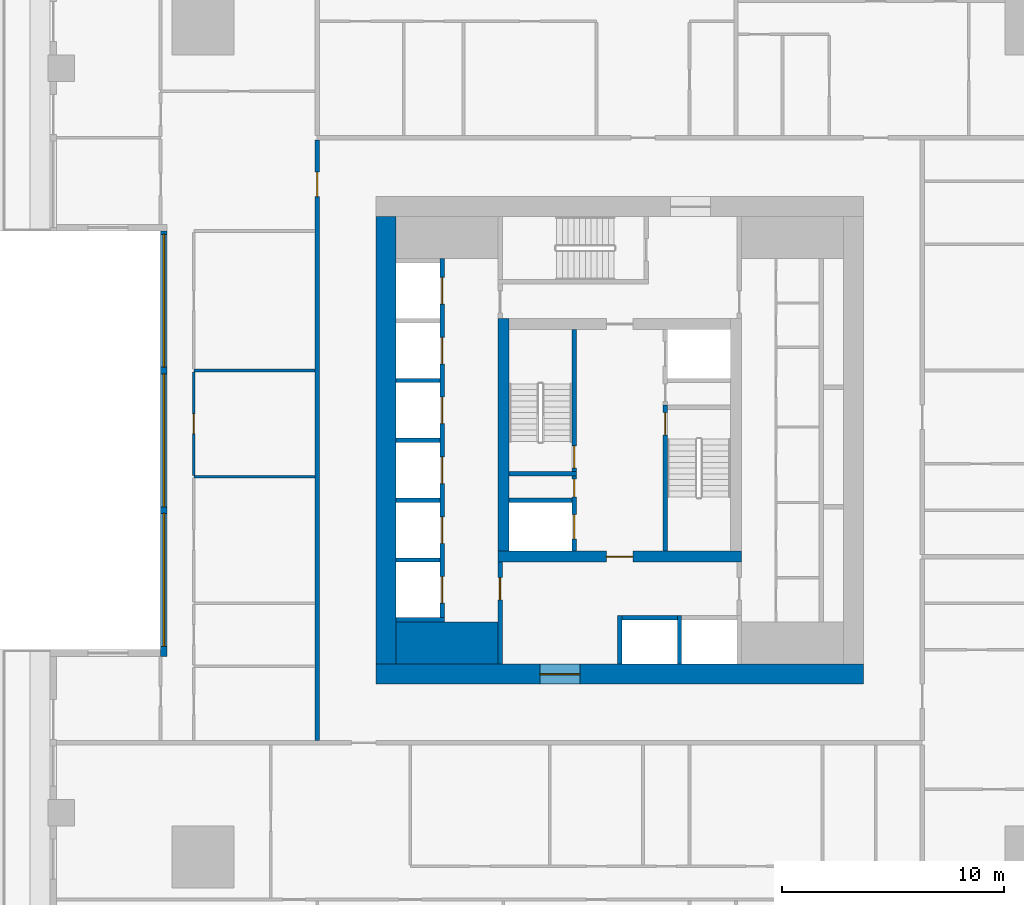
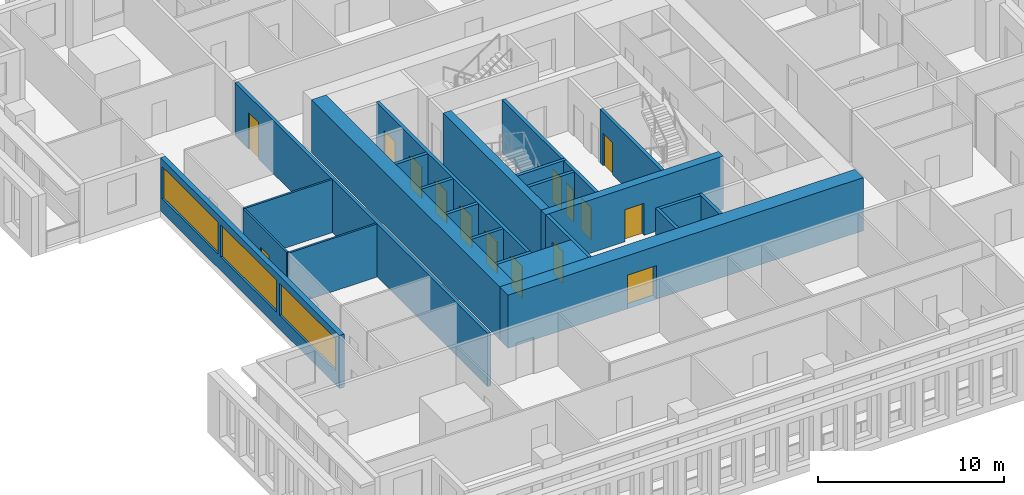
# One storey, part 3 of 14: 25 walls, 15 doors, 3 windows, 18 openings.
"""IFC4 building model written with IfcOpenShell, lengths in metres."""

from ifc_helpers import new_model, si_unit, direction, frame, frame_2d, origin, place, context, subcontext, project, spatial, rectangle, extrude, material, layer, layer_set, type_object, element, fill, save


model = new_model("IFC4")

# Units and contexts
model_context = context("Model", 3, precision=1e-05, world=origin(), true_north=direction((0.0, 1.0)))
body_context = subcontext(model_context, "Body", "Model", "MODEL_VIEW")
ifc_project = project(units=[si_unit("LENGTHUNIT", "METRE"), si_unit("AREAUNIT", "SQUARE_METRE"), si_unit("VOLUMEUNIT", "CUBIC_METRE"), si_unit("PLANEANGLEUNIT", "RADIAN"), si_unit("MASSUNIT", "GRAM", prefix="KILO")], contexts=[model_context])

# Site, building, storey
site_placement = place(None, origin())
site = spatial("IfcSite", under=ifc_project, at=site_placement, CompositionType="ELEMENT")
building_placement = place(site_placement, origin())
building = spatial("IfcBuilding", under=site, at=building_placement, Name="Khepri Terraces", CompositionType="ELEMENT")
storey_placement = place(building_placement, frame((0.0, 0.0, 106.5)))
storey = spatial("IfcBuildingStorey", under=building, at=storey_placement, Name="L25", CompositionType="ELEMENT", Elevation=106.5)

# Wall
ifc_material_1 = material(Name="Concrete C70/85", Category="concrete")
ifc_layer_1 = layer(ifc_material_1, 1.89990234375, Name="Concrete C70/85", Category="concrete")
ifc_layer_set_1 = layer_set([ifc_layer_1], Name="Concrete C70/85")
wall_type_1 = type_object("IfcWallType", Name="Core wall 1900 C70/85", PredefinedType="SHEAR", material=ifc_layer_set_1)
wall_1_placement = place(storey_placement, frame((-10.10009765625, -9.14990234375, 0.0), z_axis=(0.0, 0.0, 1.0), x_axis=(1.0, 0.0, 0.0)))
element("IfcWall", 1, at=wall_1_placement, inside=storey, type_object=wall_type_1, Name="Core wall PR01 L25", PredefinedType="SHEAR", context=body_context, shape_type="SweptSolid", body=[
    extrude(rectangle(XDim=4.60009765625, YDim=1.89990234375, at=frame_2d((2.300048828125, 0.0))), origin(), (0.0, 0.0, 1.0), 3.47998046875),
])

# Wall, opening, door
ifc_layer_2 = layer(ifc_material_1, 0.199951171875, Name="Concrete C70/85", Category="concrete")
ifc_layer_set_2 = layer_set([ifc_layer_2], Name="Concrete C70/85")
wall_type_2 = type_object("IfcWallType", Name="Core wall 200 C70/85", PredefinedType="SHEAR", material=ifc_layer_set_2)
wall_2_placement = place(storey_placement, frame((2.050048828125, -5.0, 0.0), z_axis=(0.0, 0.0, 1.0), x_axis=(0.0, 1.0, 0.0)))
wall_2 = element("IfcWall", 2, at=wall_2_placement, inside=storey, type_object=wall_type_2, Name="Core wall ST01 L25", PredefinedType="SHEAR", context=body_context, shape_type="SweptSolid", body=[
    extrude(rectangle(XDim=6.60009765625, YDim=0.199951171875, at=frame_2d((3.300048828125, 0.0))), origin(), (0.0, 0.0, 1.0), 3.47998046875),
])
opening_1_placement = place(wall_2_placement, frame((5.25, 0.0, 0.0)))
opening_1 = element("IfcOpeningElement", 3, at=opening_1_placement, cuts=wall_2, Name="Opening L25-C10", PredefinedType="OPENING", context=body_context, shape_type="SweptSolid", body=[
    extrude(rectangle(XDim=1.0, YDim=2.10009765625, at=frame_2d((0.5, 1.050048828125))), frame((0.0, 0.10986328125, 0.0), z_axis=(0.0, -1.0, 0.0), x_axis=(1.0, 0.0, 0.0)), (0.0, 0.0, 1.0), 0.219970703125),
])
ifc_material_2 = material(Name="Painted steel", Category="steel")
door_type_1 = type_object("IfcDoorType", Name="DR-CORE-STAIR-1000", OperationType="NOTDEFINED", PredefinedType="DOOR", material=ifc_material_2)
door_1_placement = place(opening_1_placement, frame((1.0, 0.0, 0.0), z_axis=(0.0, 0.0, 1.0), x_axis=(-1.0, 0.0, 0.0)))
door_1 = element("IfcDoor", 4, at=door_1_placement, inside=storey, type_object=door_type_1, Name="Stair door L25-C10", OperationType="SINGLE_SWING_LEFT", OverallHeight=2.10009765625, OverallWidth=1.0, PredefinedType="DOOR", context=body_context, shape_type="SweptSolid", body=[
    extrude(rectangle(XDim=1.0, YDim=2.10009765625, at=frame_2d((0.5, 1.050048828125))), frame((0.0, 0.02490234375, 0.0), z_axis=(0.0, -1.0, 0.0), x_axis=(1.0, 0.0, 0.0)), (0.0, 0.0, 1.0), 0.050048828125),
])
fill(opening_1, door_1)

# Wall
wall_3_placement = place(storey_placement, frame((-5.0, -1.5, 0.0), z_axis=(0.0, 0.0, 1.0), x_axis=(1.0, 0.0, 0.0)))
element("IfcWall", 5, at=wall_3_placement, inside=storey, type_object=wall_type_2, Name="Core wall ST02 L25", PredefinedType="SHEAR", context=body_context, shape_type="SweptSolid", body=[
    extrude(rectangle(XDim=3.050048828125, YDim=0.199951171875, at=frame_2d((1.52490234375, 0.0))), origin(), (0.0, 0.0, 1.0), 3.47998046875),
])

# Wall, opening, door
wall_4_placement = place(storey_placement, frame((-2.050048828125, -1.39990234375, 0.0), z_axis=(0.0, 0.0, 1.0), x_axis=(0.0, 1.0, 0.0)))
wall_4 = element("IfcWall", 6, at=wall_4_placement, inside=storey, type_object=wall_type_2, Name="Core wall ST03 L25", PredefinedType="SHEAR", context=body_context, shape_type="SweptSolid", body=[
    extrude(rectangle(XDim=6.39990234375, YDim=0.199951171875, at=frame_2d((3.199951171875, 0.0))), origin(), (0.0, 0.0, 1.0), 3.47998046875),
])
opening_2_placement = place(wall_4_placement, frame((0.14990234375, 0.0, 0.0)))
opening_2 = element("IfcOpeningElement", 7, at=opening_2_placement, cuts=wall_4, Name="Opening L25-C09", PredefinedType="OPENING", context=body_context, shape_type="SweptSolid", body=[
    extrude(rectangle(XDim=1.0, YDim=2.10009765625, at=frame_2d((0.5, 1.050048828125))), frame((0.0, 0.10986328125, 0.0), z_axis=(0.0, -1.0, 0.0), x_axis=(1.0, 0.0, 0.0)), (0.0, 0.0, 1.0), 0.219970703125),
])
door_2_placement = place(opening_2_placement, origin())
door_2 = element("IfcDoor", 8, at=door_2_placement, inside=storey, type_object=door_type_1, Name="Stair door L25-C09", OperationType="SINGLE_SWING_LEFT", OverallHeight=2.10009765625, OverallWidth=1.0, PredefinedType="DOOR", context=body_context, shape_type="SweptSolid", body=[
    extrude(rectangle(XDim=1.0, YDim=2.10009765625, at=frame_2d((0.5, 1.050048828125))), frame((0.0, 0.02490234375, 0.0), z_axis=(0.0, -1.0, 0.0), x_axis=(1.0, 0.0, 0.0)), (0.0, 0.0, 1.0), 0.050048828125),
])
fill(opening_2, door_2)

# Walls
for number, where, z_axis, x_axis, name in (
    (9, (0.0, -10.10009765625, 0.0), (0.0, 0.0, 1.0), (0.0, 1.0, 0.0), "Core wall SH01 L25"),
    (10, (2.699951171875, -10.10009765625, 0.0), (0.0, 0.0, 1.0), (0.0, 1.0, 0.0), "Core wall SH02 L25"),
    (11, (-10.10009765625, -8.10009765625, 0.0), (0.0, 0.0, 1.0), (1.0, 0.0, 0.0), "Core wall SH04 L25"),
):
    element("IfcWall", number, at=place(storey_placement, frame(where, z_axis=z_axis, x_axis=x_axis)), inside=storey, type_object=wall_type_2, Name=name, PredefinedType="SHEAR", context=body_context, shape_type="SweptSolid", body=[
        extrude(rectangle(XDim=2.2001953125, YDim=0.199951171875, at=frame_2d((1.10009765625, 0.0))), origin(), (0.0, 0.0, 1.0), 3.47998046875),
    ])
wall_5_placement = place(storey_placement, frame((0.10009765625, -8.0, 0.0), z_axis=(0.0, 0.0, 1.0), x_axis=(1.0, 0.0, 0.0)))
element("IfcWall", 12, at=wall_5_placement, inside=storey, type_object=wall_type_2, Name="Core wall SH06 L25", PredefinedType="SHEAR", context=body_context, shape_type="SweptSolid", body=[
    extrude(rectangle(XDim=2.5, YDim=0.199951171875, at=frame_2d((1.25, 0.0))), origin(), (0.0, 0.0, 1.0), 3.47998046875),
])

# Wall, openings, doors
wall_6_placement = place(storey_placement, frame((-8.0, -8.0, 0.0), z_axis=(0.0, 0.0, 1.0), x_axis=(0.0, 1.0, 0.0)))
wall_6 = element("IfcWall", 13, at=wall_6_placement, inside=storey, type_object=wall_type_2, Name="Core wall SH08 L25", PredefinedType="SHEAR", context=body_context, shape_type="SweptSolid", body=[
    extrude(rectangle(XDim=16.199951171875, YDim=0.199951171875, at=frame_2d((8.10009765625, 0.0))), origin(), (0.0, 0.0, 1.0), 3.47998046875),
])
opening_3_placement = place(wall_6_placement, frame((0.64990234375, 0.0, 0.0)))
opening_3 = element("IfcOpeningElement", 14, at=opening_3_placement, cuts=wall_6, Name="Opening L25-C01", PredefinedType="OPENING", context=body_context, shape_type="SweptSolid", body=[
    extrude(rectangle(XDim=1.199951171875, YDim=2.10009765625, at=frame_2d((0.60009765625, 1.050048828125))), frame((0.0, 0.10986328125, 0.0), z_axis=(0.0, -1.0, 0.0), x_axis=(1.0, 0.0, 0.0)), (0.0, 0.0, 1.0), 0.219970703125),
])
opening_4_placement = place(wall_6_placement, frame((3.35009765625, 0.0, 0.0)))
opening_4 = element("IfcOpeningElement", 15, at=opening_4_placement, cuts=wall_6, Name="Opening L25-C02", PredefinedType="OPENING", context=body_context, shape_type="SweptSolid", body=[
    extrude(rectangle(XDim=1.199951171875, YDim=2.10009765625, at=frame_2d((0.60009765625, 1.050048828125))), frame((0.0, 0.10986328125, 0.0), z_axis=(0.0, -1.0, 0.0), x_axis=(1.0, 0.0, 0.0)), (0.0, 0.0, 1.0), 0.219970703125),
])
opening_5_placement = place(wall_6_placement, frame((6.050048828125, 0.0, 0.0)))
opening_5 = element("IfcOpeningElement", 16, at=opening_5_placement, cuts=wall_6, Name="Opening L25-C03", PredefinedType="OPENING", context=body_context, shape_type="SweptSolid", body=[
    extrude(rectangle(XDim=1.199951171875, YDim=2.10009765625, at=frame_2d((0.60009765625, 1.050048828125))), frame((0.0, 0.10986328125, 0.0), z_axis=(0.0, -1.0, 0.0), x_axis=(1.0, 0.0, 0.0)), (0.0, 0.0, 1.0), 0.219970703125),
])
opening_6_placement = place(wall_6_placement, frame((8.75, 0.0, 0.0)))
opening_6 = element("IfcOpeningElement", 17, at=opening_6_placement, cuts=wall_6, Name="Opening L25-C04", PredefinedType="OPENING", context=body_context, shape_type="SweptSolid", body=[
    extrude(rectangle(XDim=1.199951171875, YDim=2.10009765625, at=frame_2d((0.60009765625, 1.050048828125))), frame((0.0, 0.10986328125, 0.0), z_axis=(0.0, -1.0, 0.0), x_axis=(1.0, 0.0, 0.0)), (0.0, 0.0, 1.0), 0.219970703125),
])
opening_7_placement = place(wall_6_placement, frame((11.449951171875, 0.0, 0.0)))
opening_7 = element("IfcOpeningElement", 18, at=opening_7_placement, cuts=wall_6, Name="Opening L25-C05", PredefinedType="OPENING", context=body_context, shape_type="SweptSolid", body=[
    extrude(rectangle(XDim=1.199951171875, YDim=2.10009765625, at=frame_2d((0.60009765625, 1.050048828125))), frame((0.0, 0.10986328125, 0.0), z_axis=(0.0, -1.0, 0.0), x_axis=(1.0, 0.0, 0.0)), (0.0, 0.0, 1.0), 0.219970703125),
])
opening_8_placement = place(wall_6_placement, frame((14.14990234375, 0.0, 0.0)))
opening_8 = element("IfcOpeningElement", 19, at=opening_8_placement, cuts=wall_6, Name="Opening L25-C06", PredefinedType="OPENING", context=body_context, shape_type="SweptSolid", body=[
    extrude(rectangle(XDim=1.199951171875, YDim=2.10009765625, at=frame_2d((0.60009765625, 1.050048828125))), frame((0.0, 0.10986328125, 0.0), z_axis=(0.0, -1.0, 0.0), x_axis=(1.0, 0.0, 0.0)), (0.0, 0.0, 1.0), 0.219970703125),
])
ifc_material_3 = material(Name="Stainless steel 304", Category="steel")
door_type_2 = type_object("IfcDoorType", Name="DR-CORE-LANDING-1200", OperationType="NOTDEFINED", PredefinedType="DOOR", material=ifc_material_3)
door_3_placement = place(opening_3_placement, origin())
door_3 = element("IfcDoor", 20, at=door_3_placement, inside=storey, type_object=door_type_2, Name="Lift landing door L25-C01", OperationType="SLIDING_TO_LEFT", OverallHeight=2.10009765625, OverallWidth=1.199951171875, PredefinedType="DOOR", context=body_context, shape_type="SweptSolid", body=[
    extrude(rectangle(XDim=1.199951171875, YDim=2.10009765625, at=frame_2d((0.60009765625, 1.050048828125))), frame((0.0, 0.02490234375, 0.0), z_axis=(0.0, -1.0, 0.0), x_axis=(1.0, 0.0, 0.0)), (0.0, 0.0, 1.0), 0.050048828125),
])
fill(opening_3, door_3)
door_4_placement = place(opening_4_placement, origin())
door_4 = element("IfcDoor", 21, at=door_4_placement, inside=storey, type_object=door_type_2, Name="Lift landing door L25-C02", OperationType="SLIDING_TO_LEFT", OverallHeight=2.10009765625, OverallWidth=1.199951171875, PredefinedType="DOOR", context=body_context, shape_type="SweptSolid", body=[
    extrude(rectangle(XDim=1.199951171875, YDim=2.10009765625, at=frame_2d((0.60009765625, 1.050048828125))), frame((0.0, 0.02490234375, 0.0), z_axis=(0.0, -1.0, 0.0), x_axis=(1.0, 0.0, 0.0)), (0.0, 0.0, 1.0), 0.050048828125),
])
fill(opening_4, door_4)
door_5_placement = place(opening_5_placement, origin())
door_5 = element("IfcDoor", 22, at=door_5_placement, inside=storey, type_object=door_type_2, Name="Lift landing door L25-C03", OperationType="SLIDING_TO_LEFT", OverallHeight=2.10009765625, OverallWidth=1.199951171875, PredefinedType="DOOR", context=body_context, shape_type="SweptSolid", body=[
    extrude(rectangle(XDim=1.199951171875, YDim=2.10009765625, at=frame_2d((0.60009765625, 1.050048828125))), frame((0.0, 0.02490234375, 0.0), z_axis=(0.0, -1.0, 0.0), x_axis=(1.0, 0.0, 0.0)), (0.0, 0.0, 1.0), 0.050048828125),
])
fill(opening_5, door_5)
door_6_placement = place(opening_6_placement, origin())
door_6 = element("IfcDoor", 23, at=door_6_placement, inside=storey, type_object=door_type_2, Name="Lift landing door L25-C04", OperationType="SLIDING_TO_LEFT", OverallHeight=2.10009765625, OverallWidth=1.199951171875, PredefinedType="DOOR", context=body_context, shape_type="SweptSolid", body=[
    extrude(rectangle(XDim=1.199951171875, YDim=2.10009765625, at=frame_2d((0.60009765625, 1.050048828125))), frame((0.0, 0.02490234375, 0.0), z_axis=(0.0, -1.0, 0.0), x_axis=(1.0, 0.0, 0.0)), (0.0, 0.0, 1.0), 0.050048828125),
])
fill(opening_6, door_6)
door_7_placement = place(opening_7_placement, origin())
door_7 = element("IfcDoor", 24, at=door_7_placement, inside=storey, type_object=door_type_2, Name="Lift landing door L25-C05", OperationType="SLIDING_TO_LEFT", OverallHeight=2.10009765625, OverallWidth=1.199951171875, PredefinedType="DOOR", context=body_context, shape_type="SweptSolid", body=[
    extrude(rectangle(XDim=1.199951171875, YDim=2.10009765625, at=frame_2d((0.60009765625, 1.050048828125))), frame((0.0, 0.02490234375, 0.0), z_axis=(0.0, -1.0, 0.0), x_axis=(1.0, 0.0, 0.0)), (0.0, 0.0, 1.0), 0.050048828125),
])
fill(opening_7, door_7)
door_8_placement = place(opening_8_placement, origin())
door_8 = element("IfcDoor", 25, at=door_8_placement, inside=storey, type_object=door_type_2, Name="Lift landing door L25-C06", OperationType="SLIDING_TO_LEFT", OverallHeight=2.10009765625, OverallWidth=1.199951171875, PredefinedType="DOOR", context=body_context, shape_type="SweptSolid", body=[
    extrude(rectangle(XDim=1.199951171875, YDim=2.10009765625, at=frame_2d((0.60009765625, 1.050048828125))), frame((0.0, 0.02490234375, 0.0), z_axis=(0.0, -1.0, 0.0), x_axis=(1.0, 0.0, 0.0)), (0.0, 0.0, 1.0), 0.050048828125),
])
fill(opening_8, door_8)

# Wall
wall_7_placement = place(storey_placement, frame((-10.10009765625, -5.39990234375, 0.0), z_axis=(0.0, 0.0, 1.0), x_axis=(1.0, 0.0, 0.0)))
element("IfcWall", 26, at=wall_7_placement, inside=storey, type_object=wall_type_2, Name="Core wall SH09 L25", PredefinedType="SHEAR", context=body_context, shape_type="SweptSolid", body=[
    extrude(rectangle(XDim=2.0, YDim=0.199951171875, at=frame_2d((1.0, 0.0))), origin(), (0.0, 0.0, 1.0), 3.47998046875),
])

# Wall, openings, doors
wall_8_placement = place(storey_placement, frame((-2.050048828125, -5.0, 0.0), z_axis=(0.0, 0.0, 1.0), x_axis=(0.0, 1.0, 0.0)))
wall_8 = element("IfcWall", 27, at=wall_8_placement, inside=storey, type_object=wall_type_2, Name="Core wall SH10 L25", PredefinedType="SHEAR", context=body_context, shape_type="SweptSolid", body=[
    extrude(rectangle(XDim=3.39990234375, YDim=0.199951171875, at=frame_2d((1.699951171875, 0.0))), origin(), (0.0, 0.0, 1.0), 3.47998046875),
])
opening_9_placement = place(wall_8_placement, frame((0.550048828125, 0.0, 0.0)))
opening_9 = element("IfcOpeningElement", 28, at=opening_9_placement, cuts=wall_8, Name="Opening L25-C08", PredefinedType="OPENING", context=body_context, shape_type="SweptSolid", body=[
    extrude(rectangle(XDim=1.10009765625, YDim=2.10009765625, at=frame_2d((0.550048828125, 1.050048828125))), frame((0.0, 0.10986328125, 0.0), z_axis=(0.0, -1.0, 0.0), x_axis=(1.0, 0.0, 0.0)), (0.0, 0.0, 1.0), 0.219970703125),
])
opening_10_placement = place(wall_8_placement, frame((2.449951171875, 0.0, 0.0)))
opening_10 = element("IfcOpeningElement", 29, at=opening_10_placement, cuts=wall_8, Name="Opening L25-C12", PredefinedType="OPENING", context=body_context, shape_type="SweptSolid", body=[
    extrude(rectangle(XDim=0.800048828125, YDim=2.10009765625, at=frame_2d((0.39990234375, 1.050048828125))), frame((0.0, 0.10986328125, 0.0), z_axis=(0.0, -1.0, 0.0), x_axis=(1.0, 0.0, 0.0)), (0.0, 0.0, 1.0), 0.219970703125),
])
door_type_3 = type_object("IfcDoorType", Name="DR-CORE-FF-LANDING-1100", OperationType="NOTDEFINED", PredefinedType="DOOR", material=ifc_material_3)
door_9_placement = place(opening_9_placement, origin())
door_9 = element("IfcDoor", 30, at=door_9_placement, inside=storey, type_object=door_type_3, Name="Firefighting lift landing door L25-C08", OperationType="SLIDING_TO_LEFT", OverallHeight=2.10009765625, OverallWidth=1.10009765625, PredefinedType="DOOR", context=body_context, shape_type="SweptSolid", body=[
    extrude(rectangle(XDim=1.10009765625, YDim=2.10009765625, at=frame_2d((0.550048828125, 1.050048828125))), frame((0.0, 0.02490234375, 0.0), z_axis=(0.0, -1.0, 0.0), x_axis=(1.0, 0.0, 0.0)), (0.0, 0.0, 1.0), 0.050048828125),
])
fill(opening_9, door_9)
door_type_4 = type_object("IfcDoorType", Name="DR-CORE-RISER-800", OperationType="NOTDEFINED", PredefinedType="DOOR", material=ifc_material_2)
door_10_placement = place(opening_10_placement, origin())
door_10 = element("IfcDoor", 31, at=door_10_placement, inside=storey, type_object=door_type_4, Name="Riser door L25-C12", OperationType="SINGLE_SWING_RIGHT", OverallHeight=2.10009765625, OverallWidth=0.800048828125, PredefinedType="DOOR", context=body_context, shape_type="SweptSolid", body=[
    extrude(rectangle(XDim=0.800048828125, YDim=2.10009765625, at=frame_2d((0.39990234375, 1.050048828125))), frame((0.0, 0.02490234375, 0.0), z_axis=(0.0, -1.0, 0.0), x_axis=(1.0, 0.0, 0.0)), (0.0, 0.0, 1.0), 0.050048828125),
])
fill(opening_10, door_10)

# Walls
wall_9_placement = place(storey_placement, frame((-10.10009765625, -2.699951171875, 0.0), z_axis=(0.0, 0.0, 1.0), x_axis=(1.0, 0.0, 0.0)))
element("IfcWall", 32, at=wall_9_placement, inside=storey, type_object=wall_type_2, Name="Core wall SH12 L25", PredefinedType="SHEAR", context=body_context, shape_type="SweptSolid", body=[
    extrude(rectangle(XDim=2.0, YDim=0.199951171875, at=frame_2d((1.0, 0.0))), origin(), (0.0, 0.0, 1.0), 3.47998046875),
])
wall_10_placement = place(storey_placement, frame((-5.0, -2.699951171875, 0.0), z_axis=(0.0, 0.0, 1.0), x_axis=(1.0, 0.0, 0.0)))
element("IfcWall", 33, at=wall_10_placement, inside=storey, type_object=wall_type_2, Name="Core wall SH13 L25", PredefinedType="SHEAR", context=body_context, shape_type="SweptSolid", body=[
    extrude(rectangle(XDim=2.85009765625, YDim=0.199951171875, at=frame_2d((1.425048828125, 0.0))), origin(), (0.0, 0.0, 1.0), 3.47998046875),
])
for number, where, z_axis, x_axis, name in (
    (34, (-10.10009765625, 0.0, 0.0), (0.0, 0.0, 1.0), (1.0, 0.0, 0.0), "Core wall SH14 L25"),
    (35, (-10.10009765625, 2.699951171875, 0.0), (0.0, 0.0, 1.0), (1.0, 0.0, 0.0), "Core wall SH17 L25"),
):
    element("IfcWall", number, at=place(storey_placement, frame(where, z_axis=z_axis, x_axis=x_axis)), inside=storey, type_object=wall_type_2, Name=name, PredefinedType="SHEAR", context=body_context, shape_type="SweptSolid", body=[
        extrude(rectangle(XDim=2.0, YDim=0.199951171875, at=frame_2d((1.0, 0.0))), origin(), (0.0, 0.0, 1.0), 3.47998046875),
    ])

# Wall, opening, door
ifc_layer_3 = layer(ifc_material_1, 0.5, Name="Concrete C70/85", Category="concrete")
ifc_layer_set_3 = layer_set([ifc_layer_3], Name="Concrete C70/85")
wall_type_3 = type_object("IfcWallType", Name="Core wall 500 C70/85", PredefinedType="SHEAR", material=ifc_layer_set_3)
wall_11_placement = place(storey_placement, frame((-5.5, -5.25, 0.0), z_axis=(0.0, 0.0, 1.0), x_axis=(1.0, 0.0, 0.0)))
wall_11 = element("IfcWall", 36, at=wall_11_placement, inside=storey, type_object=wall_type_3, Name="Core wall BX01 L25", PredefinedType="SHEAR", context=body_context, shape_type="SweptSolid", body=[
    extrude(rectangle(XDim=11.0, YDim=0.5, at=frame_2d((5.5, 0.0))), origin(), (0.0, 0.0, 1.0), 3.47998046875),
])
opening_11_placement = place(wall_11_placement, frame((4.89990234375, 0.0, 0.0)))
opening_11 = element("IfcOpeningElement", 37, at=opening_11_placement, cuts=wall_11, Name="Opening L25-C14", PredefinedType="OPENING", context=body_context, shape_type="SweptSolid", body=[
    extrude(rectangle(XDim=1.199951171875, YDim=2.10009765625, at=frame_2d((0.60009765625, 1.050048828125))), frame((0.0, 0.260009765625, 0.0), z_axis=(0.0, -1.0, 0.0), x_axis=(1.0, 0.0, 0.0)), (0.0, 0.0, 1.0), 0.52001953125),
])
door_type_5 = type_object("IfcDoorType", Name="DR-CORE-FF-LOBBY-1200", OperationType="NOTDEFINED", PredefinedType="DOOR", material=ifc_material_2)
door_11_placement = place(opening_11_placement, origin())
door_11 = element("IfcDoor", 38, at=door_11_placement, inside=storey, type_object=door_type_5, Name="Firefighting lobby door L25-C14", OperationType="SINGLE_SWING_RIGHT", OverallHeight=2.10009765625, OverallWidth=1.199951171875, PredefinedType="DOOR", context=body_context, shape_type="SweptSolid", body=[
    extrude(rectangle(XDim=1.199951171875, YDim=2.10009765625, at=frame_2d((0.60009765625, 1.050048828125))), frame((0.0, 0.02490234375, 0.0), z_axis=(0.0, -1.0, 0.0), x_axis=(1.0, 0.0, 0.0)), (0.0, 0.0, 1.0), 0.050048828125),
])
fill(opening_11, door_11)

# Wall
wall_12_placement = place(storey_placement, frame((-5.25, -5.0, 0.0), z_axis=(0.0, 0.0, 1.0), x_axis=(0.0, 1.0, 0.0)))
element("IfcWall", 39, at=wall_12_placement, inside=storey, type_object=wall_type_3, Name="Core wall BX02 L25", PredefinedType="SHEAR", context=body_context, shape_type="SweptSolid", body=[
    extrude(rectangle(XDim=10.5, YDim=0.5, at=frame_2d((5.25, 0.0))), origin(), (0.0, 0.0, 1.0), 3.47998046875),
])

# Wall, opening, door
ifc_layer_4 = layer(ifc_material_1, 0.89990234375, Name="Concrete C70/85", Category="concrete")
ifc_layer_set_4 = layer_set([ifc_layer_4], Name="Concrete C70/85")
wall_type_4 = type_object("IfcWallType", Name="Core wall 900 C70/85", PredefinedType="SHEAR", material=ifc_layer_set_4)
wall_13_placement = place(storey_placement, frame((-11.0, -10.550048828125, 0.0), z_axis=(0.0, 0.0, 1.0), x_axis=(1.0, 0.0, 0.0)))
wall_13 = element("IfcWall", 40, at=wall_13_placement, inside=storey, type_object=wall_type_4, Name="Core wall OW-S L25", PredefinedType="SHEAR", context=body_context, shape_type="SweptSolid", body=[
    extrude(rectangle(XDim=22.0, YDim=0.89990234375, at=frame_2d((11.0, 0.0))), origin(), (0.0, 0.0, 1.0), 3.47998046875),
])
opening_12_placement = place(wall_13_placement, frame((7.39990234375, 0.0, 0.0)))
opening_12 = element("IfcOpeningElement", 41, at=opening_12_placement, cuts=wall_13, Name="Opening L25-C21", PredefinedType="OPENING", context=body_context, shape_type="SweptSolid", body=[
    extrude(rectangle(XDim=1.800048828125, YDim=2.199951171875, at=frame_2d((0.89990234375, 1.10009765625))), frame((0.0, 0.4599609375, 0.0), z_axis=(0.0, -1.0, 0.0), x_axis=(1.0, 0.0, 0.0)), (0.0, 0.0, 1.0), 0.919921875),
])
door_type_6 = type_object("IfcDoorType", Name="DR-CORE-ENTRANCE-1800", OperationType="NOTDEFINED", PredefinedType="DOOR", material=ifc_material_2)
door_12_placement = place(opening_12_placement, frame((1.800048828125, 0.0, 0.0), z_axis=(0.0, 0.0, 1.0), x_axis=(-1.0, 0.0, 0.0)))
door_12 = element("IfcDoor", 42, at=door_12_placement, inside=storey, type_object=door_type_6, Name="Core entrance door pair L25-C21", OperationType="DOUBLE_DOOR_SINGLE_SWING", OverallHeight=2.199951171875, OverallWidth=1.800048828125, PredefinedType="DOOR", context=body_context, shape_type="SweptSolid", body=[
    extrude(rectangle(XDim=1.800048828125, YDim=2.199951171875, at=frame_2d((0.89990234375, 1.10009765625))), frame((0.0, 0.02490234375, 0.0), z_axis=(0.0, -1.0, 0.0), x_axis=(1.0, 0.0, 0.0)), (0.0, 0.0, 1.0), 0.050048828125),
])
fill(opening_12, door_12)

# Wall
wall_14_placement = place(storey_placement, frame((-10.550048828125, -10.10009765625, 0.0), z_axis=(0.0, 0.0, 1.0), x_axis=(0.0, 1.0, 0.0)))
element("IfcWall", 43, at=wall_14_placement, inside=storey, type_object=wall_type_4, Name="Core wall OW-W L25", PredefinedType="SHEAR", context=body_context, shape_type="SweptSolid", body=[
    extrude(rectangle(XDim=20.2001953125, YDim=0.89990234375, at=frame_2d((10.10009765625, 0.0))), origin(), (0.0, 0.0, 1.0), 3.47998046875),
])

# Wall, opening, door
ifc_material_4 = material(Name="Fire-rated gypsum board partition")
ifc_layer_5 = layer(ifc_material_4, 0.199951171875, Name="Fire-rated gypsum board partition")
ifc_layer_set_5 = layer_set([ifc_layer_5], Name="Fire-rated gypsum board partition")
wall_type_5 = type_object("IfcWallType", Name="WL-CORE-PART-200", PredefinedType="PARTITIONING", material=ifc_layer_set_5)
wall_15_placement = place(storey_placement, frame((-5.39990234375, -10.10009765625, 0.0), z_axis=(0.0, 0.0, 1.0), x_axis=(0.0, 1.0, 0.0)))
wall_15 = element("IfcWall", 44, at=wall_15_placement, inside=storey, type_object=wall_type_5, Name="Core partition PT01 L25", PredefinedType="PARTITIONING", context=body_context, shape_type="SweptSolid", body=[
    extrude(rectangle(XDim=4.60009765625, YDim=0.199951171875, at=frame_2d((2.300048828125, 0.0))), origin(), (0.0, 0.0, 1.0), 3.47998046875),
])
opening_13_placement = place(wall_15_placement, frame((2.89990234375, 0.0, 0.0)))
opening_13 = element("IfcOpeningElement", 45, at=opening_13_placement, cuts=wall_15, Name="Opening L25-C18", PredefinedType="OPENING", context=body_context, shape_type="SweptSolid", body=[
    extrude(rectangle(XDim=1.0, YDim=2.10009765625, at=frame_2d((0.5, 1.050048828125))), frame((0.0, 0.10986328125, 0.0), z_axis=(0.0, -1.0, 0.0), x_axis=(1.0, 0.0, 0.0)), (0.0, 0.0, 1.0), 0.219970703125),
])
door_type_7 = type_object("IfcDoorType", Name="DR-CORE-LOBBY-1000", OperationType="NOTDEFINED", PredefinedType="DOOR", material=ifc_material_2)
door_13_placement = place(opening_13_placement, frame((1.0, 0.0, 0.0), z_axis=(0.0, 0.0, 1.0), x_axis=(-1.0, 0.0, 0.0)))
door_13 = element("IfcDoor", 46, at=door_13_placement, inside=storey, type_object=door_type_7, Name="Lobby door L25-C18", OperationType="SINGLE_SWING_LEFT", OverallHeight=2.10009765625, OverallWidth=1.0, PredefinedType="DOOR", context=body_context, shape_type="SweptSolid", body=[
    extrude(rectangle(XDim=1.0, YDim=2.10009765625, at=frame_2d((0.5, 1.050048828125))), frame((0.0, 0.02490234375, 0.0), z_axis=(0.0, -1.0, 0.0), x_axis=(1.0, 0.0, 0.0)), (0.0, 0.0, 1.0), 0.050048828125),
])
fill(opening_13, door_13)

ifc_material_5 = material(Name="Fire-rated gypsum plasterboard partition, mineral wool")
ifc_layer_6 = layer(ifc_material_5, 0.199951171875, Name="Fire-rated gypsum plasterboard partition, mineral wool")
ifc_layer_set_6 = layer_set([ifc_layer_6], Name="Fire-rated gypsum plasterboard partition, mineral wool")
wall_type_6 = type_object("IfcWallType", Name="WL-CORR-200", PredefinedType="PARTITIONING", material=ifc_layer_set_6)
wall_16_placement = place(storey_placement, frame((-13.64990234375, -13.550048828125, 0.0), z_axis=(0.0, 0.0, 1.0), x_axis=(0.0, 1.0, 0.0)))
wall_16 = element("IfcWall", 47, at=wall_16_placement, inside=storey, type_object=wall_type_6, Name="Partition P-026 L25", PredefinedType="PARTITIONING", context=body_context, shape_type="SweptSolid", body=[
    extrude(rectangle(XDim=27.10009765625, YDim=0.199951171875, at=frame_2d((13.550048828125, 0.0))), origin(), (0.0, 0.0, 1.0), 3.47998046875),
])
opening_14_placement = place(wall_16_placement, frame((24.550048828125, 0.0, 0.0)))
opening_14 = element("IfcOpeningElement", 48, at=opening_14_placement, cuts=wall_16, Name="Opening D1", PredefinedType="OPENING", context=body_context, shape_type="SweptSolid", body=[
    extrude(rectangle(XDim=1.10009765625, YDim=2.39990234375, at=frame_2d((0.550048828125, 1.199951171875))), frame((0.0, 0.10986328125, 0.0), z_axis=(0.0, -1.0, 0.0), x_axis=(1.0, 0.0, 0.0)), (0.0, 0.0, 1.0), 0.219970703125),
])
ifc_material_6 = material(Name="Solid-core timber door leaf, flat entrance door", Category="wood")
door_type_8 = type_object("IfcDoorType", Name="DR-ENT-1100", OperationType="NOTDEFINED", PredefinedType="DOOR", material=ifc_material_6)
door_14_placement = place(opening_14_placement, origin())
door_14 = element("IfcDoor", 49, at=door_14_placement, inside=storey, type_object=door_type_8, Name="Flat D1 entrance door", OperationType="SINGLE_SWING_RIGHT", OverallHeight=2.39990234375, OverallWidth=1.10009765625, PredefinedType="DOOR", context=body_context, shape_type="SweptSolid", body=[
    extrude(rectangle(XDim=1.10009765625, YDim=2.39990234375, at=frame_2d((0.550048828125, 1.199951171875))), frame((0.0, 0.02490234375, 0.0), z_axis=(0.0, -1.0, 0.0), x_axis=(1.0, 0.0, 0.0)), (0.0, 0.0, 1.0), 0.050048828125),
])
fill(opening_14, door_14)

# Wall, openings, windows
ifc_material_7 = material(Name="Precast concrete C50/60 warm stone", Category="masonry")
ifc_layer_7 = layer(ifc_material_7, 0.300048828125, Name="Precast concrete C50/60 warm stone", Category="masonry")
ifc_layer_set_7 = layer_set([ifc_layer_7], Name="Precast concrete C50/60 warm stone")
wall_type_7 = type_object("IfcWallType", Name="WL-EXT-PRECAST-300", PredefinedType="STANDARD", material=ifc_layer_set_7)
wall_17_placement = place(storey_placement, frame((-20.570068359375, 9.449951171875, 0.0), z_axis=(0.0, 0.0, 1.0), x_axis=(0.0, -1.0, 0.0)))
wall_17 = element("IfcWall", 50, at=wall_17_placement, inside=storey, type_object=wall_type_7, Name="External wall L25 W", PredefinedType="STANDARD", context=body_context, shape_type="SweptSolid", body=[
    extrude(rectangle(XDim=19.199951171875, YDim=0.300048828125, at=frame_2d((9.60009765625, 0.0))), origin(), (0.0, 0.0, 1.0), 3.47998046875),
])
opening_15_placement = place(wall_17_placement, frame((0.14990234375, 0.0, 0.89990234375)))
opening_15 = element("IfcOpeningElement", 51, at=opening_15_placement, cuts=wall_17, Name="Opening W3", PredefinedType="OPENING", context=body_context, shape_type="SweptSolid", body=[
    extrude(rectangle(XDim=6.0, YDim=2.10009765625, at=frame_2d((3.0, 1.050048828125))), frame((0.0, 0.16015625, 0.0), z_axis=(0.0, -1.0, 0.0), x_axis=(1.0, 0.0, 0.0)), (0.0, 0.0, 1.0), 0.320068359375),
])
opening_16_placement = place(wall_17_placement, frame((6.449951171875, 0.0, 0.89990234375)))
opening_16 = element("IfcOpeningElement", 52, at=opening_16_placement, cuts=wall_17, Name="Opening W3", PredefinedType="OPENING", context=body_context, shape_type="SweptSolid", body=[
    extrude(rectangle(XDim=6.0, YDim=2.10009765625, at=frame_2d((3.0, 1.050048828125))), frame((0.0, 0.16015625, 0.0), z_axis=(0.0, -1.0, 0.0), x_axis=(1.0, 0.0, 0.0)), (0.0, 0.0, 1.0), 0.320068359375),
])
opening_17_placement = place(wall_17_placement, frame((12.75, 0.0, 0.89990234375)))
opening_17 = element("IfcOpeningElement", 53, at=opening_17_placement, cuts=wall_17, Name="Opening W3", PredefinedType="OPENING", context=body_context, shape_type="SweptSolid", body=[
    extrude(rectangle(XDim=6.0, YDim=2.10009765625, at=frame_2d((3.0, 1.050048828125))), frame((0.0, 0.16015625, 0.0), z_axis=(0.0, -1.0, 0.0), x_axis=(1.0, 0.0, 0.0)), (0.0, 0.0, 1.0), 0.320068359375),
])
ifc_material_8 = material(Name="Clear glass", Category="glass")
window_type = type_object("IfcWindowType", Name="WIN-RES-6000x2100", PartitioningType="SINGLE_PANEL", PredefinedType="WINDOW", material=ifc_material_8)
window_1_placement = place(opening_15_placement, origin())
window_1 = element("IfcWindow", 54, at=window_1_placement, inside=storey, type_object=window_type, Name="Window L25 W", OverallHeight=2.10009765625, OverallWidth=6.0, PartitioningType="SINGLE_PANEL", PredefinedType="WINDOW", context=body_context, shape_type="SweptSolid", body=[
    extrude(rectangle(XDim=6.0, YDim=2.10009765625, at=frame_2d((3.0, 1.050048828125))), frame((0.0, 0.030029296875, 0.0), z_axis=(0.0, -1.0, 0.0), x_axis=(1.0, 0.0, 0.0)), (0.0, 0.0, 1.0), 0.06005859375),
])
fill(opening_15, window_1)
window_2_placement = place(opening_16_placement, origin())
window_2 = element("IfcWindow", 55, at=window_2_placement, inside=storey, type_object=window_type, Name="Window L25 W", OverallHeight=2.10009765625, OverallWidth=6.0, PartitioningType="SINGLE_PANEL", PredefinedType="WINDOW", context=body_context, shape_type="SweptSolid", body=[
    extrude(rectangle(XDim=6.0, YDim=2.10009765625, at=frame_2d((3.0, 1.050048828125))), frame((0.0, 0.030029296875, 0.0), z_axis=(0.0, -1.0, 0.0), x_axis=(1.0, 0.0, 0.0)), (0.0, 0.0, 1.0), 0.06005859375),
])
fill(opening_16, window_2)
window_3_placement = place(opening_17_placement, origin())
window_3 = element("IfcWindow", 56, at=window_3_placement, inside=storey, type_object=window_type, Name="Window L25 W", OverallHeight=2.10009765625, OverallWidth=6.0, PartitioningType="SINGLE_PANEL", PredefinedType="WINDOW", context=body_context, shape_type="SweptSolid", body=[
    extrude(rectangle(XDim=6.0, YDim=2.10009765625, at=frame_2d((3.0, 1.050048828125))), frame((0.0, 0.030029296875, 0.0), z_axis=(0.0, -1.0, 0.0), x_axis=(1.0, 0.0, 0.0)), (0.0, 0.0, 1.0), 0.06005859375),
])
fill(opening_17, window_3)

# Wall
ifc_material_9 = material(Name="Gypsum plasterboard partition")
ifc_layer_8 = layer(ifc_material_9, 0.1201171875, Name="Gypsum plasterboard partition")
ifc_layer_set_8 = layer_set([ifc_layer_8], Name="Gypsum plasterboard partition")
wall_type_8 = type_object("IfcWallType", Name="WL-PART-120", PredefinedType="PARTITIONING", material=ifc_layer_set_8)
wall_18_placement = place(storey_placement, frame((-19.219970703125, -1.64990234375, 0.0), z_axis=(0.0, 0.0, 1.0), x_axis=(1.0, 0.0, 0.0)))
element("IfcWall", 57, at=wall_18_placement, inside=storey, type_object=wall_type_8, Name="Partition P-046 L25", PredefinedType="PARTITIONING", context=body_context, shape_type="SweptSolid", body=[
    extrude(rectangle(XDim=5.469970703125, YDim=0.1201171875, at=frame_2d((2.73486328125, 0.0))), origin(), (0.0, 0.0, 1.0), 3.47998046875),
])

# Wall, opening, door
wall_19_placement = place(storey_placement, frame((-19.219970703125, -1.590087890625, 0.0), z_axis=(0.0, 0.0, 1.0), x_axis=(0.0, 1.0, 0.0)))
wall_19 = element("IfcWall", 58, at=wall_19_placement, inside=storey, type_object=wall_type_8, Name="Partition P-047 L25", PredefinedType="PARTITIONING", context=body_context, shape_type="SweptSolid", body=[
    extrude(rectangle(XDim=4.68017578125, YDim=0.1201171875, at=frame_2d((2.340087890625, 0.0))), origin(), (0.0, 0.0, 1.0), 3.47998046875),
])
opening_18_placement = place(wall_19_placement, frame((1.889892578125, 0.0, 0.0)))
opening_18 = element("IfcOpeningElement", 59, at=opening_18_placement, cuts=wall_19, Name="Opening D3", PredefinedType="OPENING", context=body_context, shape_type="SweptSolid", body=[
    extrude(rectangle(XDim=0.89990234375, YDim=2.10009765625, at=frame_2d((0.449951171875, 1.050048828125))), frame((0.0, 0.070068359375, 0.0), z_axis=(0.0, -1.0, 0.0), x_axis=(1.0, 0.0, 0.0)), (0.0, 0.0, 1.0), 0.14013671875),
])
ifc_material_10 = material(Name="Timber door leaf", Category="wood")
door_type_9 = type_object("IfcDoorType", Name="DR-INT-900", OperationType="NOTDEFINED", PredefinedType="DOOR", material=ifc_material_10)
door_15_placement = place(opening_18_placement, frame((0.89990234375, 0.0, 0.0), z_axis=(0.0, 0.0, 1.0), x_axis=(-1.0, 0.0, 0.0)))
door_15 = element("IfcDoor", 60, at=door_15_placement, inside=storey, type_object=door_type_9, Name="Door Utility Room", OperationType="SINGLE_SWING_LEFT", OverallHeight=2.10009765625, OverallWidth=0.89990234375, PredefinedType="DOOR", context=body_context, shape_type="SweptSolid", body=[
    extrude(rectangle(XDim=0.89990234375, YDim=2.10009765625, at=frame_2d((0.449951171875, 1.050048828125))), frame((0.0, 0.02490234375, 0.0), z_axis=(0.0, -1.0, 0.0), x_axis=(1.0, 0.0, 0.0)), (0.0, 0.0, 1.0), 0.050048828125),
])
fill(opening_18, door_15)

# Wall
wall_20_placement = place(storey_placement, frame((-19.219970703125, 3.14990234375, 0.0), z_axis=(0.0, 0.0, 1.0), x_axis=(1.0, 0.0, 0.0)))
element("IfcWall", 61, at=wall_20_placement, inside=storey, type_object=wall_type_8, Name="Partition P-051 L25", PredefinedType="PARTITIONING", context=body_context, shape_type="SweptSolid", body=[
    extrude(rectangle(XDim=5.469970703125, YDim=0.1201171875, at=frame_2d((2.73486328125, 0.0))), origin(), (0.0, 0.0, 1.0), 3.47998046875),
])

save(model, "model.ifc")
